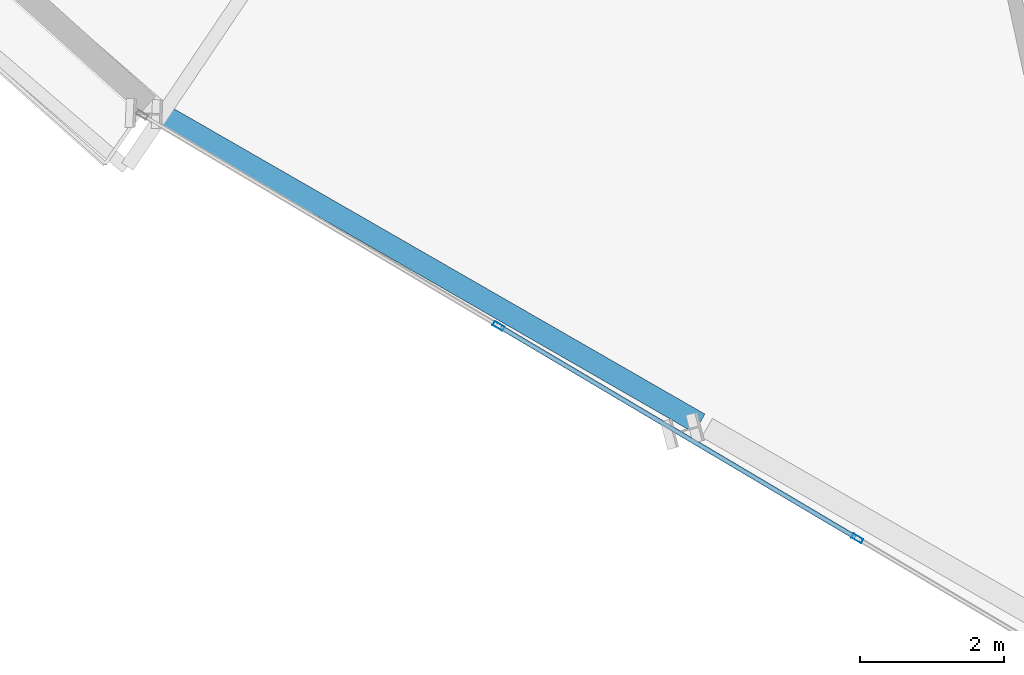
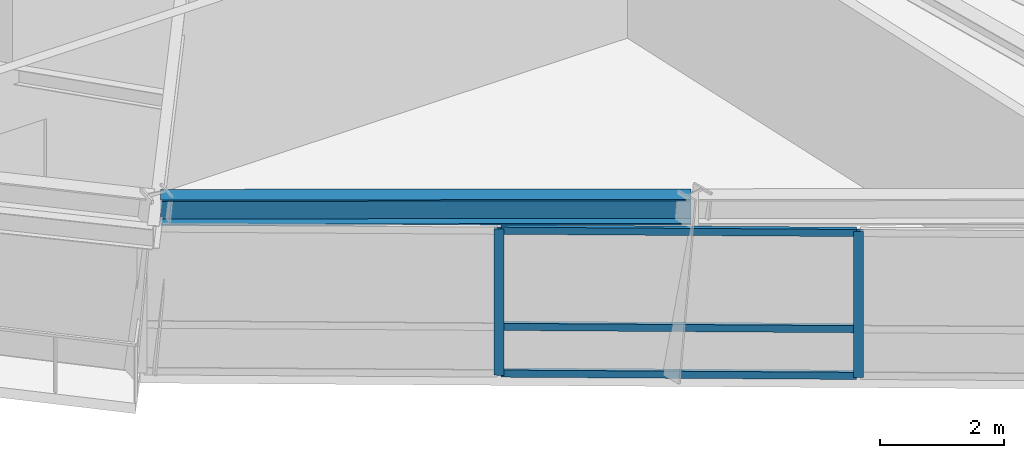
# One storey, part 3 of 14: 5 members, 1 beam, 1 element without a shape of its own.
"""IFC4 building model written with IfcOpenShell, lengths in metres."""

from ifc_helpers import new_model, si_unit, direction, frame, origin, origin_2d, place, context, subcontext, project, spatial, hollow_rectangle, i_section, extrude, source, transform, mapped, material, material_profile, profile_set, type_object, element, aggregate, save


model = new_model("IFC4")

# Units and contexts
model_context = context("Model", 3, precision=1e-05, world=origin(), true_north=direction((0.0, 1.0)))
body_context = subcontext(model_context, "Body", "Model", "MODEL_VIEW")
ifc_project = project(units=[si_unit("LENGTHUNIT", "METRE"), si_unit("AREAUNIT", "SQUARE_METRE"), si_unit("VOLUMEUNIT", "CUBIC_METRE"), si_unit("PLANEANGLEUNIT", "RADIAN"), si_unit("MASSUNIT", "GRAM", prefix="KILO")], contexts=[model_context])

# Site, building, storey
site_placement = place(None, origin())
site = spatial("IfcSite", under=ifc_project, at=site_placement, CompositionType="ELEMENT")
building_placement = place(site_placement, origin())
building = spatial("IfcBuilding", under=site, at=building_placement, Name="Olszyna Solenne Hotel", CompositionType="ELEMENT")
storey_placement = place(building_placement, frame((0.0, 0.0, 259.699951171875)))
storey = spatial("IfcBuildingStorey", under=building, at=storey_placement, Name="L69", CompositionType="ELEMENT", Elevation=259.699951171875)

# Beam
ifc_material_1 = material(Name="Steel S355J2", Category="steel")
ifc_material_profile_1 = material_profile(ifc_material_1, i_section(OverallWidth=0.300048828125, OverallDepth=0.5, WebThickness=0.014404296875, FlangeThickness=0.028076171875, at=origin_2d()), Name="HEB 500", Category="load-bearing")
ifc_profile_set_1 = profile_set([ifc_material_profile_1], Name="Steel S355J2")
beam_type = type_object("IfcBeamType", Name="BM-S3", PredefinedType="BEAM", material=ifc_profile_set_1)
shared_shape_1 = source(origin(), body_context, "Body", "SweptSolid", [
    extrude(i_section(OverallWidth=0.300048828125, OverallDepth=0.5, WebThickness=0.014404296875, FlangeThickness=0.028076171875, at=origin_2d()), origin(), (0.0, 0.0, 1.0), 8.5390625),
])
beam_placement = place(storey_placement, frame((28.831787109375, 12.873779296875, 3.130126953125), z_axis=(0.866881591992, -0.498514097559, 0.0), x_axis=(0.498514097559, 0.866881591992, 0.0)))
element("IfcBeam", 1, at=beam_placement, inside=storey, type_object=beam_type, Name="Perimeter spandrel beam BM-S3 B-L69-2032", PredefinedType="BEAM", context=body_context, shape_type="MappedRepresentation", body=[
    mapped(shared_shape_1, transform((0.0, 0.0, 0.0), x_axis=(1.0, 0.0, 0.0), y_axis=(0.0, 1.0, 0.0), z_axis=(0.0, 0.0, 1.0), scale=1.0)),
])

# Curtain wall, members
ifc_material_2 = material(Name="Anodised bronze aluminium", Category="aluminium")
curtain_wall_type = type_object("IfcCurtainWallType", Name="CW-SYS-4", PredefinedType="NOTDEFINED", material=ifc_material_2)
curtain_wall_placement = place(storey_placement, origin())
curtain_wall = element("IfcCurtainWall", 2, at=curtain_wall_placement, inside=storey, type_object=curtain_wall_type, Name="Unitised curtain wall CW-SYS-4 CW-L69-01", PredefinedType="NOTDEFINED")
ifc_material_profile_2 = material_profile(ifc_material_2, hollow_rectangle(XDim=0.06494140625, YDim=0.159912109375, WallThickness=0.00390625, at=origin_2d()), Name="MULL 160x65x4", Category="load-bearing")
ifc_profile_set_2 = profile_set([ifc_material_profile_2], Name="Anodised bronze aluminium")
member_type_1 = type_object("IfcMemberType", Name="CW-M3", PredefinedType="MULLION", material=ifc_profile_set_2)
shared_shape_2 = source(origin(), body_context, "Body", "SweptSolid", [
    extrude(hollow_rectangle(XDim=0.06494140625, YDim=0.159912109375, WallThickness=0.00390625, at=origin_2d()), origin(), (0.0, 0.0, 1.0), 2.8720703125),
])
member_1_placement = place(storey_placement, frame((33.447265625, 9.96923828125, 0.0), z_axis=(0.0, 0.0, 1.0), x_axis=(0.509708693758, 0.860347050618, 0.0)))
member_1 = element("IfcMember", 3, at=member_1_placement, type_object=member_type_1, Name="Curtain-wall mullion CW-M3 CM-L69-01-02", PredefinedType="MULLION", context=body_context, shape_type="MappedRepresentation", body=[
    mapped(shared_shape_2, transform((0.0, 0.0, 0.0), x_axis=(1.0, 0.0, 0.0), y_axis=(0.0, 1.0, 0.0), z_axis=(0.0, 0.0, 1.0), scale=1.0)),
])
member_2_placement = place(storey_placement, frame((38.422607421875, 7.021728515625, 0.0), z_axis=(0.0, 0.0, 1.0), x_axis=(0.509708693758, 0.860347050618, 0.0)))
member_2 = element("IfcMember", 4, at=member_2_placement, type_object=member_type_1, Name="Curtain-wall mullion CW-M3 CM-L69-01-03", PredefinedType="MULLION", context=body_context, shape_type="MappedRepresentation", body=[
    mapped(shared_shape_2, transform((0.0, 0.0, 0.0), x_axis=(1.0, 0.0, 0.0), y_axis=(0.0, 1.0, 0.0), z_axis=(0.0, 0.0, 1.0), scale=1.0)),
])
ifc_material_profile_3 = material_profile(ifc_material_2, hollow_rectangle(XDim=0.06494140625, YDim=0.139892578125, WallThickness=0.00390625, at=origin_2d()), Name="TRAN 140x65x4", Category="load-bearing")
ifc_profile_set_3 = profile_set([ifc_material_profile_3], Name="Anodised bronze aluminium")
member_type_2 = type_object("IfcMemberType", Name="CW-T2", PredefinedType="USERDEFINED", material=ifc_profile_set_3)
shared_shape_3 = source(origin(), body_context, "Body", "SweptSolid", [
    extrude(hollow_rectangle(XDim=0.06494140625, YDim=0.139892578125, WallThickness=0.00390625, at=origin_2d()), origin(), (0.0, 0.0, 1.0), 5.718017578125),
])
member_3_placement = place(storey_placement, frame((33.47509765625, 9.95263671875, 0.032470703125), z_axis=(0.860342852268, -0.509715780167, 0.0), x_axis=(0.509715780167, 0.860342852268, 0.0)))
member_3 = element("IfcMember", 5, at=member_3_placement, type_object=member_type_2, Name="Curtain-wall transom CW-T2 CT-L69-01-04", ObjectType="TRANSOM", PredefinedType="USERDEFINED", context=body_context, shape_type="MappedRepresentation", body=[
    mapped(shared_shape_3, transform((0.0, 0.0, 0.0), x_axis=(1.0, 0.0, 0.0), y_axis=(0.0, 1.0, 0.0), z_axis=(0.0, 0.0, 1.0), scale=1.0)),
])
member_4_placement = place(storey_placement, frame((33.47509765625, 9.95263671875, 0.949951171875), z_axis=(0.860342852268, -0.509715780167, 0.0), x_axis=(0.509715780167, 0.860342852268, 0.0)))
member_4 = element("IfcMember", 6, at=member_4_placement, type_object=member_type_2, Name="Curtain-wall transom CW-T2 CT-L69-01-05", ObjectType="TRANSOM", PredefinedType="USERDEFINED", context=body_context, shape_type="MappedRepresentation", body=[
    mapped(shared_shape_3, transform((0.0, 0.0, 0.0), x_axis=(1.0, 0.0, 0.0), y_axis=(0.0, 1.0, 0.0), z_axis=(0.0, 0.0, 1.0), scale=1.0)),
])
member_5_placement = place(storey_placement, frame((33.47509765625, 9.95263671875, 2.839599609375), z_axis=(0.860342852268, -0.509715780167, 0.0), x_axis=(0.509715780167, 0.860342852268, 0.0)))
member_5 = element("IfcMember", 7, at=member_5_placement, type_object=member_type_2, Name="Curtain-wall transom CW-T2 CT-L69-01-06", ObjectType="TRANSOM", PredefinedType="USERDEFINED", context=body_context, shape_type="MappedRepresentation", body=[
    mapped(shared_shape_3, transform((0.0, 0.0, 0.0), x_axis=(1.0, 0.0, 0.0), y_axis=(0.0, 1.0, 0.0), z_axis=(0.0, 0.0, 1.0), scale=1.0)),
])
aggregate(curtain_wall, [member_1, member_2, member_3, member_4, member_5])

save(model, "model.ifc")
